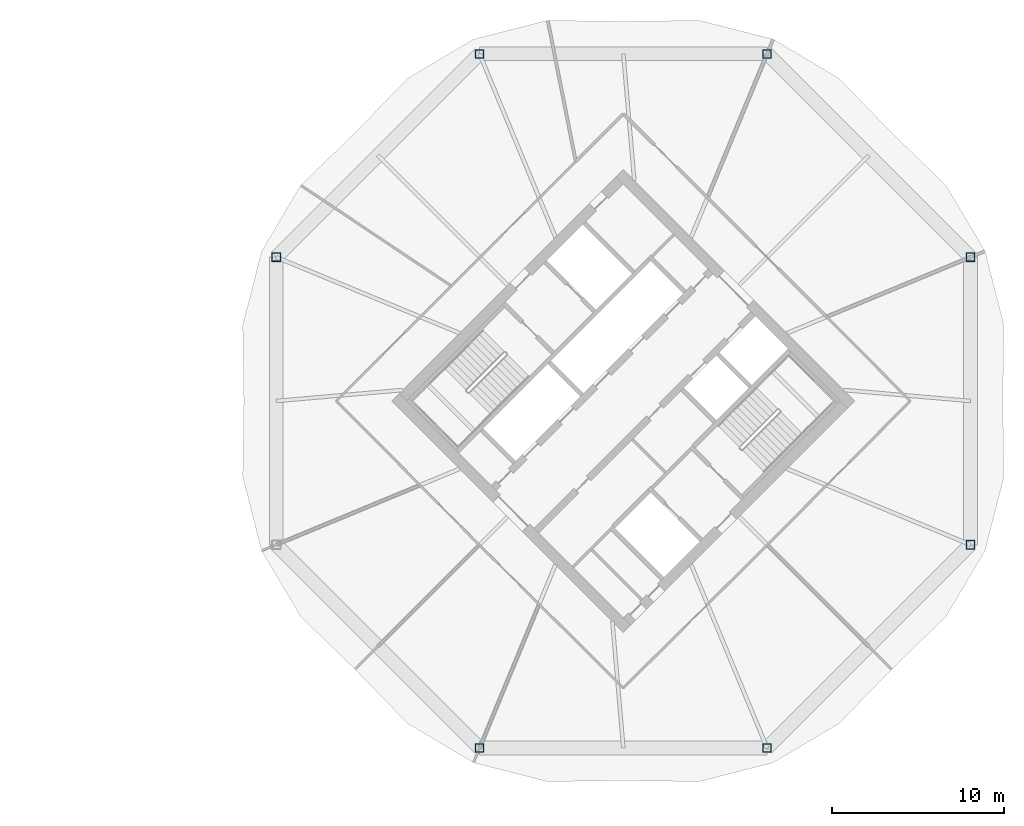
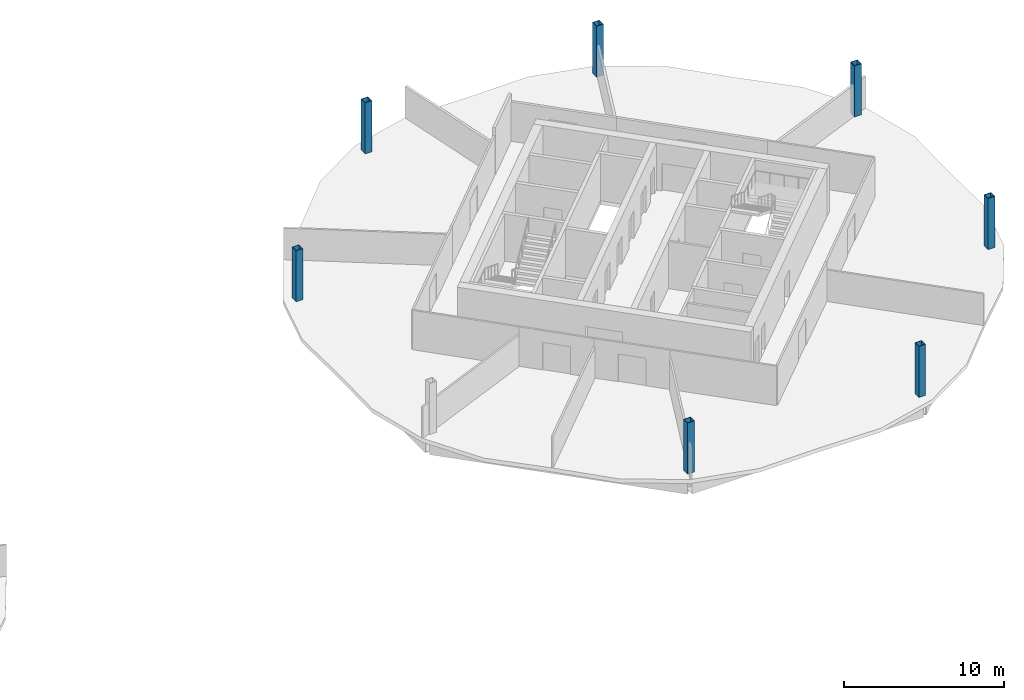
# One storey, part 2 of 10: 7 columns.
"""IFC4 building model written with IfcOpenShell, lengths in metres."""

from ifc_helpers import new_model, si_unit, direction, frame, origin, origin_2d, place, context, subcontext, project, spatial, hollow_rectangle, extrude, material, material_profile, profile_set, type_object, element, save


model = new_model("IFC4")

# Units and contexts
model_context = context("Model", 3, precision=1e-05, world=origin(), true_north=direction((0.0, 1.0)))
body_context = subcontext(model_context, "Body", "Model", "MODEL_VIEW")
ifc_project = project(units=[si_unit("LENGTHUNIT", "METRE"), si_unit("AREAUNIT", "SQUARE_METRE"), si_unit("VOLUMEUNIT", "CUBIC_METRE"), si_unit("PLANEANGLEUNIT", "RADIAN"), si_unit("MASSUNIT", "GRAM", prefix="KILO")], contexts=[model_context])

# Site, building, storey
site_placement = place(None, origin())
site = spatial("IfcSite", under=ifc_project, at=site_placement, CompositionType="ELEMENT")
building_placement = place(site_placement, origin())
building = spatial("IfcBuilding", under=site, at=building_placement, Name="Ogive Gate Towers", CompositionType="ELEMENT")
storey_placement = place(building_placement, frame((0.0, 0.0, 173.39990234375)))
storey = spatial("IfcBuildingStorey", under=building, at=storey_placement, Name="L41", CompositionType="ELEMENT", Elevation=173.39990234375)

# Columns
ifc_material = material(Name="Steel SM460", Category="steel")
ifc_material_profile = material_profile(ifc_material, hollow_rectangle(XDim=0.5, YDim=0.5, WallThickness=0.030029296875, at=origin_2d()), Name="BX 500x500x30")
ifc_profile_set = profile_set([ifc_material_profile], Name="Steel SM460")
column_type = type_object("IfcColumnType", Name="Perimeter post BX 500x500x30", PredefinedType="COLUMN", material=ifc_profile_set)
for number, where, z_axis, x_axis, name in (
    (1, (56.14990234375, 8.346435546875, 0.0), (0.0, 0.0, 1.0), (1.0, 0.0, 0.0), "T2/L41/SCL001"),
    (2, (44.346435546875, 20.14990234375, 0.0), (0.0, 0.0, 1.0), (1.0, 0.0, 0.0), "T2/L41/SCL002"),
    (3, (27.653564453125, 20.14990234375, 0.0), (0.0, 0.0, 1.0), (1.0, 0.0, 0.0), "T2/L41/SCL003"),
    (4, (15.85009765625, 8.346435546875, 0.0), (0.0, 0.0, 1.0), (1.0, 0.0, 0.0), "T2/L41/SCL004"),
    (5, (27.653564453125, -20.14990234375, 0.0), (0.0, 0.0, 1.0), (1.0, 0.0, 0.0), "T2/L41/SCL006"),
    (6, (44.346435546875, -20.14990234375, 0.0), (0.0, 0.0, 1.0), (1.0, 0.0, 0.0), "T2/L41/SCL007"),
    (7, (56.14990234375, -8.346435546875, 0.0), (0.0, 0.0, 1.0), (1.0, 0.0, 0.0), "T2/L41/SCL008"),
):
    element("IfcColumn", number, at=place(storey_placement, frame(where, z_axis=z_axis, x_axis=x_axis)), inside=storey, type_object=column_type, Name=name, PredefinedType="COLUMN", context=body_context, shape_type="SweptSolid", body=[
        extrude(hollow_rectangle(XDim=0.5, YDim=0.5, WallThickness=0.030029296875, at=origin_2d()), origin(), (0.0, 0.0, 1.0), 3.900146484375),
    ])

save(model, "model.ifc")
